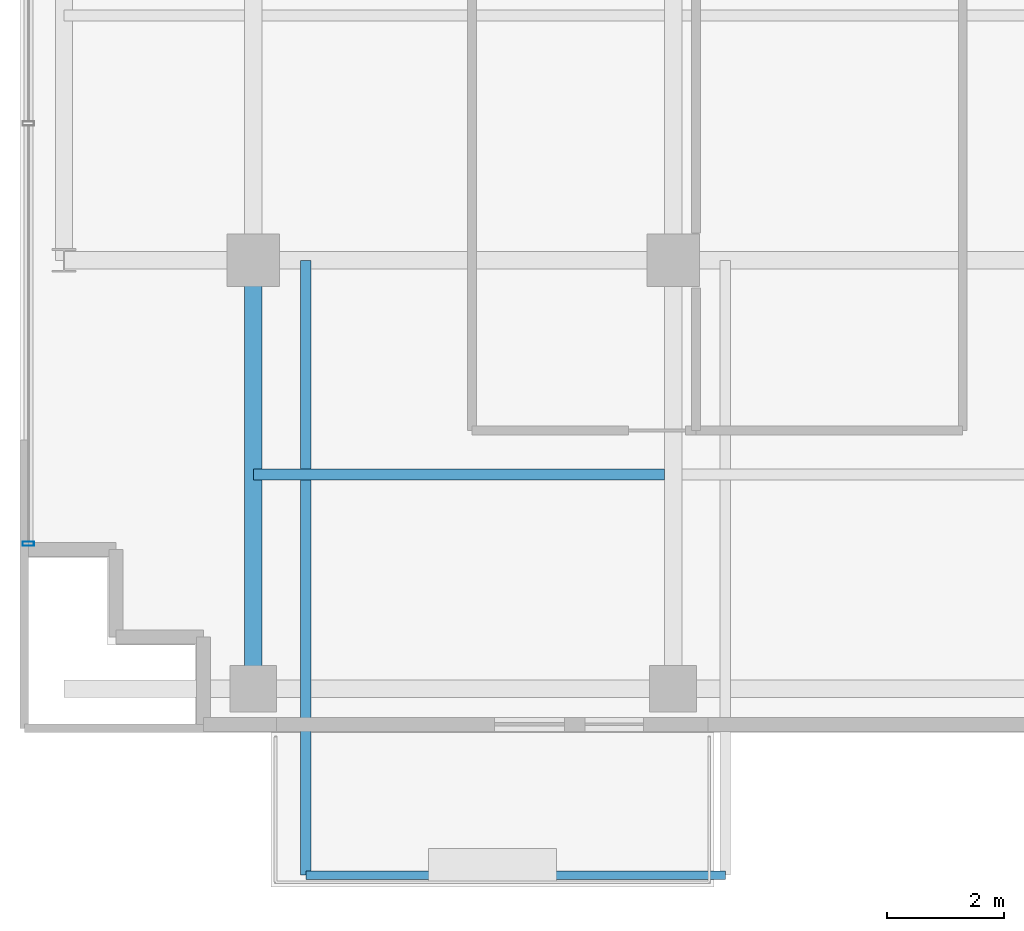
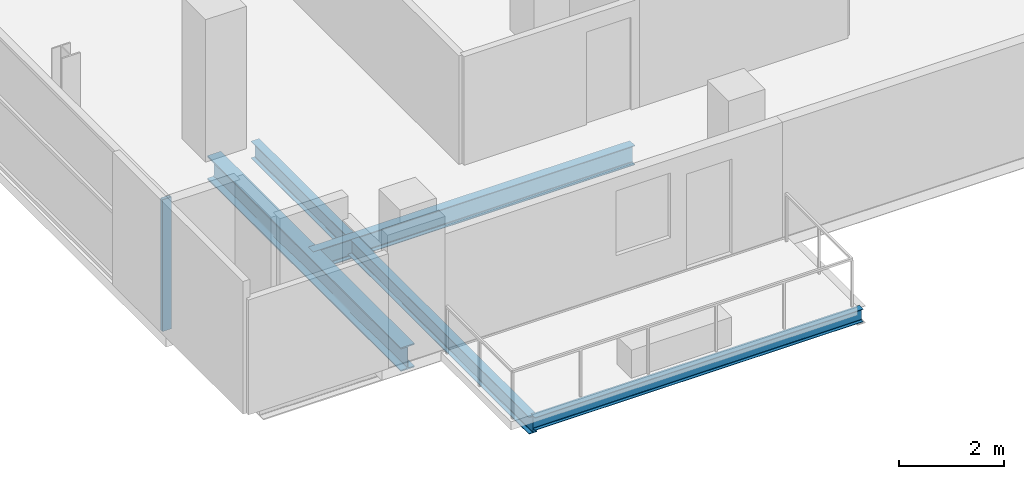
# One storey, part 2 of 24: 4 beams, 1 member, 1 element without a shape of its own.
"""IFC4 building model written with IfcOpenShell, lengths in metres."""

from ifc_helpers import new_model, si_unit, direction, frame, origin, origin_2d, place, context, subcontext, project, spatial, hollow_rectangle, i_section, extrude, source, transform, mapped, material, layer, layer_set, material_profile, profile_set, type_object, element, aggregate, save


model = new_model("IFC4")

# Units and contexts
model_context = context("Model", 3, precision=1e-05, world=origin(), true_north=direction((0.0, 1.0)))
body_context = subcontext(model_context, "Body", "Model", "MODEL_VIEW")
ifc_project = project(units=[si_unit("LENGTHUNIT", "METRE"), si_unit("AREAUNIT", "SQUARE_METRE"), si_unit("VOLUMEUNIT", "CUBIC_METRE"), si_unit("PLANEANGLEUNIT", "RADIAN"), si_unit("MASSUNIT", "GRAM", prefix="KILO")], contexts=[model_context])

# Site, building, storey
site_placement = place(None, origin())
site = spatial("IfcSite", under=ifc_project, at=site_placement, CompositionType="ELEMENT")
building_placement = place(site_placement, origin())
building = spatial("IfcBuilding", under=site, at=building_placement, Name="Zarnakvel Exchange Tower", CompositionType="ELEMENT")
storey_placement = place(building_placement, frame((0.0, 0.0, 119.800048828125)))
storey = spatial("IfcBuildingStorey", under=building, at=storey_placement, Name="L33", CompositionType="ELEMENT", Elevation=119.800048828125)

# Beams
ifc_material_1 = material(Name="Steel S355", Category="steel")
ifc_material_profile_1 = material_profile(ifc_material_1, i_section(OverallWidth=0.18994140625, OverallDepth=0.449951171875, WebThickness=0.009521484375, FlangeThickness=0.0146484375, FilletRadius=0.02099609375, at=origin_2d()))
ifc_profile_set_1 = profile_set([ifc_material_profile_1], Name="Steel S355")
beam_type_1 = type_object("IfcBeamType", Name="B-05", PredefinedType="JOIST", material=ifc_profile_set_1)
beam_1_placement = place(storey_placement, frame((-21.60009765625, -13.27490234375, -0.449951171875), z_axis=(1.0, 0.0, 0.0), x_axis=(0.0, 1.0, 0.0)))
element("IfcBeam", 1, at=beam_1_placement, inside=storey, type_object=beam_type_1, Name="L33 Composite Floor Secondary Joist", PredefinedType="JOIST", context=body_context, shape_type="SweptSolid", body=[
    extrude(i_section(OverallWidth=0.18994140625, OverallDepth=0.449951171875, WebThickness=0.009521484375, FlangeThickness=0.0146484375, FilletRadius=0.02099609375, at=origin_2d()), origin(), (0.0, 0.0, 1.0), 7.050048828125),
])
ifc_material_profile_2 = material_profile(ifc_material_1, i_section(OverallWidth=0.179931640625, OverallDepth=0.39990234375, WebThickness=0.008544921875, FlangeThickness=0.013427734375, FilletRadius=0.02099609375, at=origin_2d()))
ifc_profile_set_2 = profile_set([ifc_material_profile_2], Name="Steel S355")
beam_type_2 = type_object("IfcBeamType", Name="B-06", PredefinedType="JOIST", material=ifc_profile_set_2)
beam_2_placement = place(storey_placement, frame((-20.699951171875, -9.60009765625, -0.425048828125), z_axis=(0.0, -1.0, 0.0), x_axis=(1.0, 0.0, 0.0)))
element("IfcBeam", 2, at=beam_2_placement, inside=storey, type_object=beam_type_2, Name="L33 Continuous Back-Spanned Balcony Beam W", PredefinedType="JOIST", context=body_context, shape_type="SweptSolid", body=[
    extrude(i_section(OverallWidth=0.179931640625, OverallDepth=0.39990234375, WebThickness=0.008544921875, FlangeThickness=0.013427734375, FilletRadius=0.02099609375, at=origin_2d()), origin(), (0.0, 0.0, 1.0), 10.5498046875),
])
ifc_material_profile_3 = material_profile(ifc_material_1, i_section(OverallWidth=0.14990234375, OverallDepth=0.300048828125, WebThickness=0.007080078125, FlangeThickness=0.0107421875, FilletRadius=0.014892578125, at=origin_2d()))
ifc_profile_set_3 = profile_set([ifc_material_profile_3], Name="Steel S355")
beam_type_3 = type_object("IfcBeamType", Name="B-08", PredefinedType="JOIST", material=ifc_profile_set_3)
beam_3_placement = place(storey_placement, frame((-20.699951171875, -20.14990234375, -0.375), z_axis=(1.0, 0.0, 0.0), x_axis=(0.0, 1.0, 0.0)))
element("IfcBeam", 3, at=beam_3_placement, inside=storey, type_object=beam_type_3, Name="L33 Balcony Edge Beam", PredefinedType="JOIST", context=body_context, shape_type="SweptSolid", body=[
    extrude(i_section(OverallWidth=0.14990234375, OverallDepth=0.300048828125, WebThickness=0.007080078125, FlangeThickness=0.0107421875, FilletRadius=0.014892578125, at=origin_2d()), origin(), (0.0, 0.0, 1.0), 7.199951171875),
])
ifc_material_profile_4 = material_profile(ifc_material_1, i_section(OverallWidth=0.300048828125, OverallDepth=0.550048828125, WebThickness=0.014892578125, FlangeThickness=0.029052734375, FilletRadius=0.027099609375, at=origin_2d()))
ifc_profile_set_4 = profile_set([ifc_material_profile_4], Name="Steel S355")
beam_type_4 = type_object("IfcBeamType", Name="G-05", PredefinedType="BEAM", material=ifc_profile_set_4)
beam_4_placement = place(storey_placement, frame((-21.60009765625, -16.949951171875, -0.5), z_axis=(0.0, 1.0, 0.0), x_axis=(-1.0, 0.0, 0.0)))
element("IfcBeam", 4, at=beam_4_placement, inside=storey, type_object=beam_type_4, Name="L33 Tower N-S Frame Beam", PredefinedType="BEAM", context=body_context, shape_type="SweptSolid", body=[
    extrude(i_section(OverallWidth=0.300048828125, OverallDepth=0.550048828125, WebThickness=0.014892578125, FlangeThickness=0.029052734375, FilletRadius=0.027099609375, at=origin_2d()), origin(), (0.0, 0.0, 1.0), 7.349853515625),
])

# Curtain wall, member
ifc_material_2 = material(Name="Architectural Bronze Anodised Aluminium", Category="aluminium")
ifc_layer = layer(ifc_material_2, 0.199951171875)
ifc_layer_set = layer_set([ifc_layer], Name="Architectural Bronze Anodised Aluminium")
curtain_wall_type = type_object("IfcCurtainWallType", Name="CW-04", PredefinedType="NOTDEFINED", material=ifc_layer_set)
curtain_wall_placement = place(storey_placement, origin())
curtain_wall = element("IfcCurtainWall", 5, at=curtain_wall_placement, inside=storey, type_object=curtain_wall_type, Name="L33 Curtain Wall CW-L33-W1 (CW-04)", PredefinedType="NOTDEFINED")
ifc_material_profile_5 = material_profile(ifc_material_2, hollow_rectangle(XDim=0.199951171875, YDim=0.074951171875, WallThickness=0.0048828125, at=origin_2d()))
ifc_profile_set_5 = profile_set([ifc_material_profile_5], Name="Architectural Bronze Anodised Aluminium")
member_type = type_object("IfcMemberType", Name="CWM-04", PredefinedType="MULLION", material=ifc_profile_set_5)
shared_shape = source(origin(), body_context, "Body", "SweptSolid", [
    extrude(hollow_rectangle(XDim=0.199951171875, YDim=0.074951171875, WallThickness=0.0048828125, at=origin_2d()), origin(), (0.0, 0.0, 1.0), 3.054931640625),
])
member_placement = place(storey_placement, frame((-25.4599609375, -14.46240234375, 0.0), z_axis=(0.0, 0.0, 1.0), x_axis=(-1.0, 0.0, 0.0)))
member = element("IfcMember", 6, at=member_placement, type_object=member_type, Name="CW-04 mullion 1", PredefinedType="MULLION", context=body_context, shape_type="MappedRepresentation", body=[
    mapped(shared_shape, transform((0.0, 0.0, 0.0), x_axis=(1.0, 0.0, 0.0), y_axis=(0.0, 1.0, 0.0), z_axis=(0.0, 0.0, 1.0), scale=1.0)),
])
aggregate(curtain_wall, [member])

save(model, "model.ifc")
